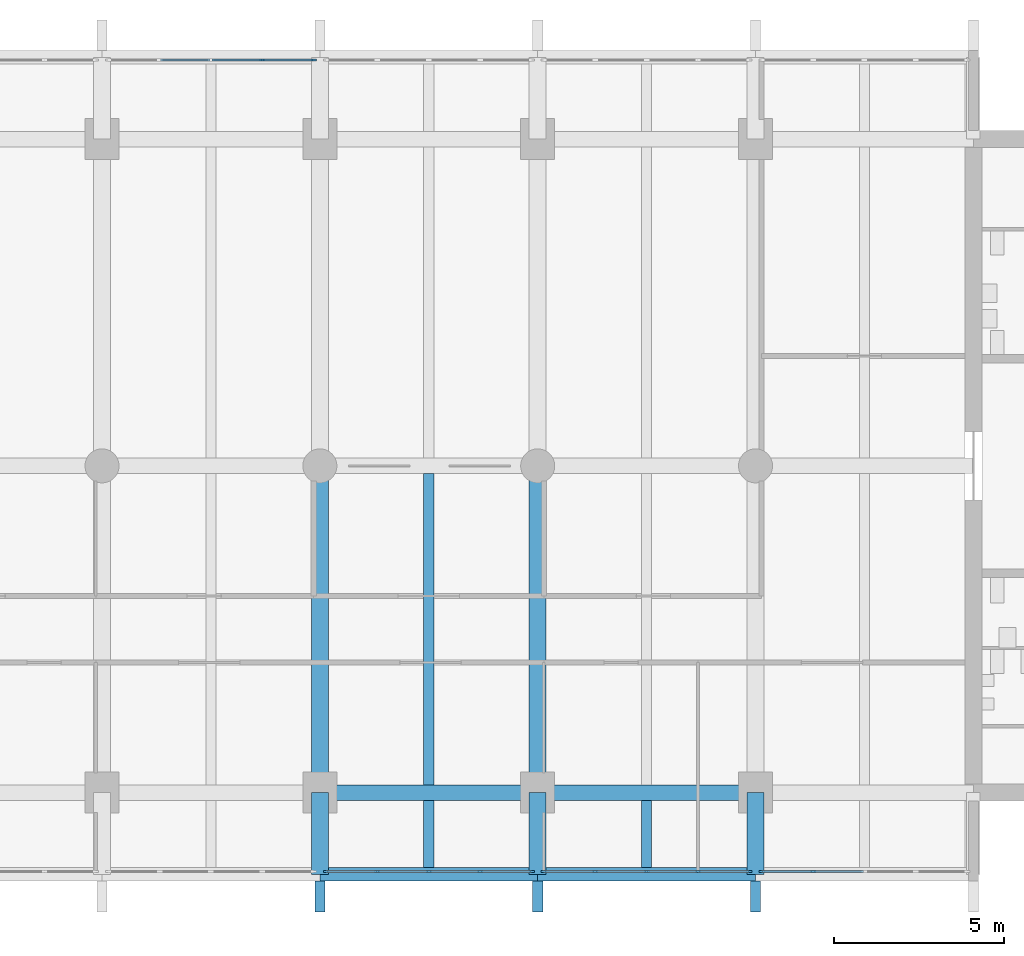
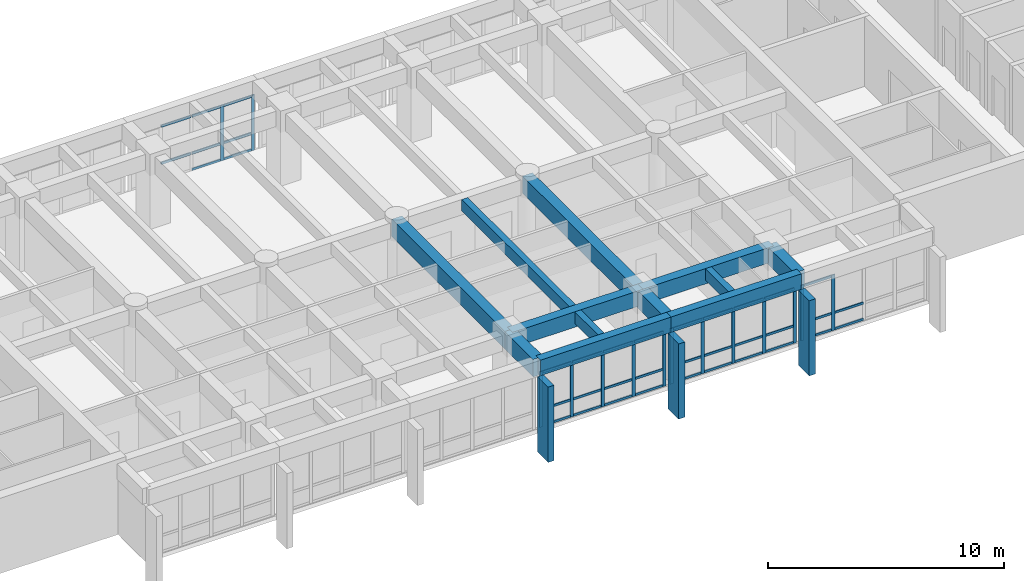
# One storey, part 4 of 15: 54 members, 12 beams, 4 elements without a shape of their own.
"""IFC4 building model written with IfcOpenShell, lengths in metres."""

import ifcopenshell
import ifcopenshell.guid

model = None  # the IFC model being written
_history = None  # IfcOwnerHistory: only IFC2X3 demands one
_inside = {}  # id of a spatial element -> (the spatial element, [elements in it])
_under = {}  # id of a project, library or spatial element -> (it, [spatial elements below it])
_declared = {}  # id of a project -> (the project, [libraries it declares])
_typed = {}  # id of a type object -> (the type object, [elements of that type])
_made_of = {}  # id of a material, layer set ... -> (it, [elements and type objects made of it])


def new_model(schema):
    """Start an empty IFC model of exactly this schema.

    Asked for "IFC4X3", IfcOpenShell would pick the latest addendum, in which some entities
    have other attributes; the version numbers below select the first issue.
    IFC2X3 requires an IfcOwnerHistory on every rooted entity: one is made here for all.
    """
    global model, _history
    if schema == "IFC4X3":
        model = ifcopenshell.file(schema_version=(4, 3, 0, 0))
    else:
        model = ifcopenshell.file(schema=schema)
    _inside.clear()
    _under.clear()
    _declared.clear()
    _typed.clear()
    _made_of.clear()
    _history = None
    if model.schema == "IFC2X3":
        org = make("IfcOrganization", Name="unknown")
        user = make(
            "IfcPersonAndOrganization",
            ThePerson=make("IfcPerson", FamilyName="unknown"),
            TheOrganization=org,
        )
        app = make(
            "IfcApplication",
            ApplicationDeveloper=org,
            Version="unknown",
            ApplicationFullName="unknown",
            ApplicationIdentifier="unknown",
        )
        _history = make(
            "IfcOwnerHistory",
            OwningUser=user,
            OwningApplication=app,
            ChangeAction="ADDED",
            CreationDate=0,
        )
    return model


def make(cls, **values):
    """One entity of the class cls with the attributes given. An attribute that is None is left unset."""
    return model.create_entity(
        cls, **{name: value for name, value in values.items() if value is not None}
    )


def rooted(cls, **values):
    """An entity with a GlobalId (a new one), such as an element, a storey or a relation."""
    return make(cls, GlobalId=ifcopenshell.guid.new(), OwnerHistory=_history, **values)


def si_unit(unit_type, name, prefix=None):
    """IfcSIUnit, for example si_unit("LENGTHUNIT", "METRE", prefix="MILLI")."""
    return make("IfcSIUnit", UnitType=unit_type, Prefix=prefix, Name=name)


def assignment(units):
    """IfcUnitAssignment: the units of a project."""
    return None if units is None else make("IfcUnitAssignment", Units=units)


def point(xyz):
    """IfcCartesianPoint."""
    return None if xyz is None else make("IfcCartesianPoint", Coordinates=xyz)


def direction(xyz):
    """IfcDirection."""
    return None if xyz is None else make("IfcDirection", DirectionRatios=xyz)


def frame(location, z_axis=None, x_axis=None):
    """IfcAxis2Placement3D, a coordinate frame: its origin and axes. An axis left out is left unset."""
    return make(
        "IfcAxis2Placement3D",
        Location=point(location),
        Axis=direction(z_axis),
        RefDirection=direction(x_axis),
    )


def frame_2d(location, x_axis=None):
    """IfcAxis2Placement2D, a coordinate frame in the plane: its origin and x axis."""
    return make(
        "IfcAxis2Placement2D", Location=point(location), RefDirection=direction(x_axis)
    )


def origin():
    """The frame at (0, 0, 0) with its axes left unset."""
    return frame((0.0, 0.0, 0.0))


def origin_2d():
    """The frame at (0, 0) in the plane with its x axis left unset."""
    return frame_2d((0.0, 0.0))


def place(relative_to, where):
    """IfcLocalPlacement: puts the frame where relative to a parent placement (None: the world)."""
    return make(
        "IfcLocalPlacement", PlacementRelTo=relative_to, RelativePlacement=where
    )


def context(
    kind, dimensions, precision=None, world=None, true_north=None, identifier=None
):
    """IfcGeometricRepresentationContext, for example the 3D "Model" context."""
    return make(
        "IfcGeometricRepresentationContext",
        ContextIdentifier=identifier,
        ContextType=kind,
        CoordinateSpaceDimension=dimensions,
        Precision=precision,
        WorldCoordinateSystem=world,
        TrueNorth=true_north,
    )


def subcontext(parent, identifier, kind, view, scale=None):
    """IfcGeometricRepresentationSubContext, for example "Body" below "Model"."""
    return make(
        "IfcGeometricRepresentationSubContext",
        ContextIdentifier=identifier,
        ContextType=kind,
        ParentContext=parent,
        TargetScale=scale,
        TargetView=view,
    )


def project(units=None, contexts=None):
    """IfcProject with its units and contexts."""
    return rooted(
        "IfcProject",
        Name="project",
        RepresentationContexts=contexts,
        UnitsInContext=assignment(units),
    )


def spatial(cls, under=None, at=None, **own):
    """A site, building, storey or space (cls), placed at a placement, below another one or the project."""
    s = rooted(cls, ObjectPlacement=at, **own)
    if under is not None:
        _under.setdefault(under.id(), (under, []))[1].append(s)
    return s


def profile(cls, at=None, kind="AREA", **sizes):
    """A parametric profile (cls). Its sizes go by their IFC names, for example OverallWidth=200.0."""
    return make(cls, ProfileType=kind, Position=at, **sizes)


def rectangle(**sizes):
    """IfcRectangleProfileDef."""
    return profile("IfcRectangleProfileDef", **sizes)


def extrude(swept, where, along, depth):
    """IfcExtrudedAreaSolid: the profile swept, set in the frame where, extruded along a direction by depth."""
    return make(
        "IfcExtrudedAreaSolid",
        SweptArea=swept,
        Position=where,
        ExtrudedDirection=direction(along),
        Depth=depth,
    )


def shape(context_of_items, identifier, shape_type, items):
    """IfcShapeRepresentation: the items that make up one representation, for example the "Body"."""
    return make(
        "IfcShapeRepresentation",
        ContextOfItems=context_of_items,
        RepresentationIdentifier=identifier,
        RepresentationType=shape_type,
        Items=items,
    )


def material(Name=None, Category=None):
    """IfcMaterial."""
    return make("IfcMaterial", Name=Name, Category=Category)


def layer(
    of_material, thickness, ventilated=None, Name=None, Category=None, Priority=None
):
    """IfcMaterialLayer: one layer of a wall or slab, of a material (None: an air gap)."""
    return make(
        "IfcMaterialLayer",
        Material=of_material,
        LayerThickness=thickness,
        IsVentilated=ventilated,
        Name=Name,
        Category=Category,
        Priority=Priority,
    )


def layer_set(layers, Name=None):
    """IfcMaterialLayerSet."""
    return make("IfcMaterialLayerSet", MaterialLayers=layers, LayerSetName=Name)


def material_profile(
    of_material, cross_section, Name=None, Category=None, Priority=None
):
    """IfcMaterialProfile: a cross section and its material."""
    return make(
        "IfcMaterialProfile",
        Name=Name,
        Material=of_material,
        Profile=cross_section,
        Priority=Priority,
        Category=Category,
    )


def profile_set(profiles, Name=None, composite=None):
    """IfcMaterialProfileSet."""
    return make(
        "IfcMaterialProfileSet",
        Name=Name,
        MaterialProfiles=profiles,
        CompositeProfile=composite,
    )


def made_of(thing, what):
    """Note that an element or type object is made of a material, layer set ...; save() writes the relation."""
    if what is not None:
        _made_of.setdefault(what.id(), (what, []))[1].append(thing)
    return thing


def type_object(cls, material=None, **own):
    """A type object (cls), such as IfcWallType, which elements share."""
    return made_of(rooted(cls, **own), material)


def element(
    cls,
    number,
    at=None,
    inside=None,
    cuts=None,
    type_object=None,
    material=None,
    context=None,
    identifier="Body",
    shape_type=None,
    held_by="IfcProductDefinitionShape",
    body=None,
    shapes=None,
    **own,
):
    """One element of the class cls, such as IfcWall. Its Tag is "e" and its number.

    at: its placement. inside: the storey or other place that contains it. cuts: it is an
    opening in that element (IfcRelVoidsElement). A single representation is given by context,
    identifier, shape_type and body (its items); several are given by shapes. held_by: the class
    of the entity that holds the representations. save() writes the other relations.
    """
    e = rooted(cls, Tag="e%d" % number, ObjectPlacement=at, **own)
    if body is not None:
        shapes = [shape(context, identifier, shape_type, body)]
    if shapes is not None:
        e.Representation = make(held_by, Representations=shapes)
    if inside is not None:
        _inside.setdefault(inside.id(), (inside, []))[1].append(e)
    if cuts is not None:
        rooted(
            "IfcRelVoidsElement", RelatingBuildingElement=cuts, RelatedOpeningElement=e
        )
    if type_object is not None:
        _typed.setdefault(type_object.id(), (type_object, []))[1].append(e)
    return made_of(e, material)


def aggregate(whole, parts):
    """IfcRelAggregates: a whole, such as a stair, and the parts it consists of."""
    return rooted("IfcRelAggregates", RelatingObject=whole, RelatedObjects=parts)


def save(model, path):
    """Write the relations noted so far, then the file.

    IfcRelAggregates (storeys below a building ...), IfcRelContainedInSpatialStructure (elements
    in a storey), IfcRelDefinesByType, IfcRelAssociatesMaterial and IfcRelDeclares: one each for
    every whole, place, type object, material and project.
    """
    for whole, parts in _under.values():
        aggregate(whole, parts)
    for where, things in _inside.values():
        rooted(
            "IfcRelContainedInSpatialStructure",
            RelatedElements=things,
            RelatingStructure=where,
        )
    for kind, things in _typed.values():
        rooted("IfcRelDefinesByType", RelatedObjects=things, RelatingType=kind)
    for what, things in _made_of.values():
        rooted("IfcRelAssociatesMaterial", RelatedObjects=things, RelatingMaterial=what)
    for by, libraries in _declared.values():
        rooted("IfcRelDeclares", RelatingContext=by, RelatedDefinitions=libraries)
    model.write(path)


model = new_model("IFC4")

# Units and contexts
model_context = context("Model", 3, precision=1e-05, world=origin(), true_north=direction((0.0, 1.0)))
body_context = subcontext(model_context, "Body", "Model", "MODEL_VIEW")
ifc_project = project(units=[si_unit("LENGTHUNIT", "METRE"), si_unit("AREAUNIT", "SQUARE_METRE"), si_unit("VOLUMEUNIT", "CUBIC_METRE"), si_unit("PLANEANGLEUNIT", "RADIAN"), si_unit("MASSUNIT", "GRAM", prefix="KILO")], contexts=[model_context])

# Site, building, storey
site_placement = place(None, origin())
site = spatial("IfcSite", under=ifc_project, at=site_placement, CompositionType="ELEMENT")
building_placement = place(site_placement, origin())
building = spatial("IfcBuilding", under=site, at=building_placement, Name="Fogon Plaza Fire Station and Headquarters Tower", CompositionType="ELEMENT")
storey_placement = place(building_placement, frame((0.0, 0.0, 28.800048828125)))
storey = spatial("IfcBuildingStorey", under=building, at=storey_placement, Name="L07", CompositionType="ELEMENT", Elevation=28.800048828125)

# Beams
ifc_material_1 = material(Name="Concrete C40", Category="concrete")
ifc_material_profile_1 = material_profile(ifc_material_1, rectangle(XDim=0.39990234375, YDim=0.800048828125, at=origin_2d()), Name="RC 400x800")
ifc_profile_set_1 = profile_set([ifc_material_profile_1], Name="Concrete C40")
beam_type_1 = type_object("IfcBeamType", Name="BEAM RC 400x800", PredefinedType="BEAM", material=ifc_profile_set_1)
beam_1_placement = place(storey_placement, frame((44.800048828125, 31.199951171875, 3.280029296875), z_axis=(1.0, 0.0, 0.0), x_axis=(0.0, 1.0, 0.0)))
element("IfcBeam", 1, at=beam_1_placement, inside=storey, type_object=beam_type_1, Name="beam-L07-042", PredefinedType="BEAM", context=body_context, shape_type="SweptSolid", body=[
    extrude(rectangle(XDim=0.39990234375, YDim=0.800048828125, at=origin_2d()), origin(), (0.0, 0.0, 1.0), 6.39990234375),
])
beam_2_placement = place(storey_placement, frame((51.199951171875, 31.199951171875, 3.280029296875), z_axis=(1.0, 0.0, 0.0), x_axis=(0.0, 1.0, 0.0)))
element("IfcBeam", 2, at=beam_2_placement, inside=storey, type_object=beam_type_1, Name="beam-L07-043", PredefinedType="BEAM", context=body_context, shape_type="SweptSolid", body=[
    extrude(rectangle(XDim=0.39990234375, YDim=0.800048828125, at=origin_2d()), origin(), (0.0, 0.0, 1.0), 6.400146484375),
])
ifc_material_2 = material(Name="Concrete C40", Category="concrete")
ifc_material_profile_2 = material_profile(ifc_material_2, rectangle(XDim=0.449951171875, YDim=0.800048828125, at=origin_2d()), Name="RC 450x800")
ifc_profile_set_2 = profile_set([ifc_material_profile_2], Name="Concrete C40")
beam_type_2 = type_object("IfcBeamType", Name="BEAM RC 450x800", PredefinedType="BEAM", material=ifc_profile_set_2)
beam_3_placement = place(storey_placement, frame((44.800048828125, 33.60009765625, 3.280029296875), z_axis=(1.0, 0.0, 0.0), x_axis=(0.0, 1.0, 0.0)))
element("IfcBeam", 3, at=beam_3_placement, inside=storey, type_object=beam_type_2, Name="beam-L07-024", PredefinedType="BEAM", context=body_context, shape_type="SweptSolid", body=[
    extrude(rectangle(XDim=0.449951171875, YDim=0.800048828125, at=origin_2d()), origin(), (0.0, 0.0, 1.0), 6.39990234375),
])
beam_4_placement = place(storey_placement, frame((51.199951171875, 33.60009765625, 3.280029296875), z_axis=(1.0, 0.0, 0.0), x_axis=(0.0, 1.0, 0.0)))
element("IfcBeam", 4, at=beam_4_placement, inside=storey, type_object=beam_type_2, Name="beam-L07-025", PredefinedType="BEAM", context=body_context, shape_type="SweptSolid", body=[
    extrude(rectangle(XDim=0.449951171875, YDim=0.800048828125, at=origin_2d()), origin(), (0.0, 0.0, 1.0), 6.400146484375),
])
ifc_material_3 = material(Name="Concrete C40", Category="concrete")
ifc_material_profile_3 = material_profile(ifc_material_3, rectangle(XDim=0.5, YDim=0.89990234375, at=origin_2d()), Name="RC 500x900")
ifc_profile_set_3 = profile_set([ifc_material_profile_3], Name="Concrete C40")
beam_type_3 = type_object("IfcBeamType", Name="BEAM RC 500x900 SPAN 0.0 TO 3.0 M", PredefinedType="BEAM", material=ifc_profile_set_3)
for number, where, z_axis, x_axis, name in (
    (5, (44.800048828125, 31.199951171875, 3.22998046875), (0.0, 1.0, 0.0), (-1.0, 0.0, 0.0), "beam-L07-009"),
    (6, (51.199951171875, 31.199951171875, 3.22998046875), (0.0, 1.0, 0.0), (-1.0, 0.0, 0.0), "beam-L07-013"),
    (7, (57.60009765625, 31.199951171875, 3.22998046875), (0.0, 1.0, 0.0), (-1.0, 0.0, 0.0), "beam-L07-017"),
):
    element("IfcBeam", number, at=place(storey_placement, frame(where, z_axis=z_axis, x_axis=x_axis)), inside=storey, type_object=beam_type_3, Name=name, PredefinedType="BEAM", context=body_context, shape_type="SweptSolid", body=[
        extrude(rectangle(XDim=0.5, YDim=0.89990234375, at=origin_2d()), origin(), (0.0, 0.0, 1.0), 2.400146484375),
    ])
ifc_material_4 = material(Name="Concrete C40", Category="concrete")
ifc_material_profile_4 = material_profile(ifc_material_4, rectangle(XDim=0.5, YDim=0.89990234375, at=origin_2d()), Name="RC 500x900")
ifc_profile_set_4 = profile_set([ifc_material_profile_4], Name="Concrete C40")
beam_type_4 = type_object("IfcBeamType", Name="BEAM RC 500x900 SPAN 7.7 TO 12.3 M", PredefinedType="BEAM", material=ifc_profile_set_4)
for number, where, z_axis, x_axis, name in (
    (8, (44.800048828125, 33.60009765625, 3.22998046875), (0.0, 1.0, 0.0), (-1.0, 0.0, 0.0), "beam-L07-010"),
    (9, (51.199951171875, 33.60009765625, 3.22998046875), (0.0, 1.0, 0.0), (-1.0, 0.0, 0.0), "beam-L07-014"),
):
    element("IfcBeam", number, at=place(storey_placement, frame(where, z_axis=z_axis, x_axis=x_axis)), inside=storey, type_object=beam_type_4, Name=name, PredefinedType="BEAM", context=body_context, shape_type="SweptSolid", body=[
        extrude(rectangle(XDim=0.5, YDim=0.89990234375, at=origin_2d()), origin(), (0.0, 0.0, 1.0), 9.599853515625),
    ])

# Curtain wall, members
ifc_material_5 = material(Name="Aluminium and glass", Category="aluminium")
ifc_layer = layer(ifc_material_5, 0.14990234375)
ifc_layer_set = layer_set([ifc_layer], Name="Aluminium and glass")
curtain_wall_type = type_object("IfcCurtainWallType", Name="Unitised Curtain Wall Run 6100x2880", PredefinedType="NOTDEFINED", material=ifc_layer_set)
curtain_wall_1_placement = place(storey_placement, origin())
curtain_wall_1 = element("IfcCurtainWall", 10, at=curtain_wall_1_placement, inside=storey, type_object=curtain_wall_type, Name="CW-6100x2880 S4 L07", PredefinedType="NOTDEFINED")
ifc_material_6 = material(Name="Aluminium", Category="aluminium")
ifc_material_profile_5 = material_profile(ifc_material_6, rectangle(XDim=0.06005859375, YDim=0.159912109375, at=origin_2d()), Name="Curtain Wall Mullion 60x160")
ifc_profile_set_5 = profile_set([ifc_material_profile_5], Name="Aluminium")
member_type_1 = type_object("IfcMemberType", Name="Curtain Wall Mullion 60x160", PredefinedType="MULLION", material=ifc_profile_set_5)
member_1_placement = place(storey_placement, frame((44.97998046875, 31.280029296875, 0.0), z_axis=(0.0, 0.0, 1.0), x_axis=(0.0, 1.0, 0.0)))
member_1 = element("IfcMember", 11, at=member_1_placement, type_object=member_type_1, Name="CW-6100x2880 mullion 1", PredefinedType="MULLION", context=body_context, shape_type="SweptSolid", body=[
    extrude(rectangle(XDim=0.06005859375, YDim=0.159912109375, at=origin_2d()), origin(), (0.0, 0.0, 1.0), 2.8798828125),
])
member_2_placement = place(storey_placement, frame((46.489990234375, 31.280029296875, 0.0), z_axis=(0.0, 0.0, 1.0), x_axis=(0.0, 1.0, 0.0)))
member_2 = element("IfcMember", 12, at=member_2_placement, type_object=member_type_1, Name="CW-6100x2880 mullion 2", PredefinedType="MULLION", context=body_context, shape_type="SweptSolid", body=[
    extrude(rectangle(XDim=0.06005859375, YDim=0.159912109375, at=origin_2d()), origin(), (0.0, 0.0, 1.0), 2.8798828125),
])
member_3_placement = place(storey_placement, frame((48.0, 31.280029296875, 0.0), z_axis=(0.0, 0.0, 1.0), x_axis=(0.0, 1.0, 0.0)))
member_3 = element("IfcMember", 13, at=member_3_placement, type_object=member_type_1, Name="CW-6100x2880 mullion 3", PredefinedType="MULLION", context=body_context, shape_type="SweptSolid", body=[
    extrude(rectangle(XDim=0.06005859375, YDim=0.159912109375, at=origin_2d()), origin(), (0.0, 0.0, 1.0), 2.8798828125),
])
member_4_placement = place(storey_placement, frame((49.510009765625, 31.280029296875, 0.0), z_axis=(0.0, 0.0, 1.0), x_axis=(0.0, 1.0, 0.0)))
member_4 = element("IfcMember", 14, at=member_4_placement, type_object=member_type_1, Name="CW-6100x2880 mullion 4", PredefinedType="MULLION", context=body_context, shape_type="SweptSolid", body=[
    extrude(rectangle(XDim=0.06005859375, YDim=0.159912109375, at=origin_2d()), origin(), (0.0, 0.0, 1.0), 2.8798828125),
])
member_5_placement = place(storey_placement, frame((51.02001953125, 31.280029296875, 0.0), z_axis=(0.0, 0.0, 1.0), x_axis=(0.0, 1.0, 0.0)))
member_5 = element("IfcMember", 15, at=member_5_placement, type_object=member_type_1, Name="CW-6100x2880 mullion 5", PredefinedType="MULLION", context=body_context, shape_type="SweptSolid", body=[
    extrude(rectangle(XDim=0.06005859375, YDim=0.159912109375, at=origin_2d()), origin(), (0.0, 0.0, 1.0), 2.8798828125),
])

curtain_wall_2_placement = place(storey_placement, origin())
curtain_wall_2 = element("IfcCurtainWall", 16, at=curtain_wall_2_placement, inside=storey, type_object=curtain_wall_type, Name="CW-6100x2880 S5 L07", PredefinedType="NOTDEFINED")
member_6_placement = place(storey_placement, frame((51.3798828125, 31.280029296875, 0.0), z_axis=(0.0, 0.0, 1.0), x_axis=(0.0, 1.0, 0.0)))
member_6 = element("IfcMember", 17, at=member_6_placement, type_object=member_type_1, Name="CW-6100x2880 mullion 1", PredefinedType="MULLION", context=body_context, shape_type="SweptSolid", body=[
    extrude(rectangle(XDim=0.06005859375, YDim=0.159912109375, at=origin_2d()), origin(), (0.0, 0.0, 1.0), 2.8798828125),
])
member_7_placement = place(storey_placement, frame((52.889892578125, 31.280029296875, 0.0), z_axis=(0.0, 0.0, 1.0), x_axis=(0.0, 1.0, 0.0)))
member_7 = element("IfcMember", 18, at=member_7_placement, type_object=member_type_1, Name="CW-6100x2880 mullion 2", PredefinedType="MULLION", context=body_context, shape_type="SweptSolid", body=[
    extrude(rectangle(XDim=0.06005859375, YDim=0.159912109375, at=origin_2d()), origin(), (0.0, 0.0, 1.0), 2.8798828125),
])
member_8_placement = place(storey_placement, frame((54.39990234375, 31.280029296875, 0.0), z_axis=(0.0, 0.0, 1.0), x_axis=(0.0, 1.0, 0.0)))
member_8 = element("IfcMember", 19, at=member_8_placement, type_object=member_type_1, Name="CW-6100x2880 mullion 3", PredefinedType="MULLION", context=body_context, shape_type="SweptSolid", body=[
    extrude(rectangle(XDim=0.06005859375, YDim=0.159912109375, at=origin_2d()), origin(), (0.0, 0.0, 1.0), 2.8798828125),
])
member_9_placement = place(storey_placement, frame((55.909912109375, 31.280029296875, 0.0), z_axis=(0.0, 0.0, 1.0), x_axis=(0.0, 1.0, 0.0)))
member_9 = element("IfcMember", 20, at=member_9_placement, type_object=member_type_1, Name="CW-6100x2880 mullion 4", PredefinedType="MULLION", context=body_context, shape_type="SweptSolid", body=[
    extrude(rectangle(XDim=0.06005859375, YDim=0.159912109375, at=origin_2d()), origin(), (0.0, 0.0, 1.0), 2.8798828125),
])
member_10_placement = place(storey_placement, frame((57.419921875, 31.280029296875, 0.0), z_axis=(0.0, 0.0, 1.0), x_axis=(0.0, 1.0, 0.0)))
member_10 = element("IfcMember", 21, at=member_10_placement, type_object=member_type_1, Name="CW-6100x2880 mullion 5", PredefinedType="MULLION", context=body_context, shape_type="SweptSolid", body=[
    extrude(rectangle(XDim=0.06005859375, YDim=0.159912109375, at=origin_2d()), origin(), (0.0, 0.0, 1.0), 2.8798828125),
])

curtain_wall_3_placement = place(storey_placement, origin())
curtain_wall_3 = element("IfcCurtainWall", 22, at=curtain_wall_3_placement, inside=storey, type_object=curtain_wall_type, Name="CW-6100x2880 S6 L07", PredefinedType="NOTDEFINED")
member_11_placement = place(storey_placement, frame((57.780029296875, 31.280029296875, 0.0), z_axis=(0.0, 0.0, 1.0), x_axis=(0.0, 1.0, 0.0)))
member_11 = element("IfcMember", 23, at=member_11_placement, type_object=member_type_1, Name="CW-6100x2880 mullion 1", PredefinedType="MULLION", context=body_context, shape_type="SweptSolid", body=[
    extrude(rectangle(XDim=0.06005859375, YDim=0.159912109375, at=origin_2d()), origin(), (0.0, 0.0, 1.0), 2.8798828125),
])
member_12_placement = place(storey_placement, frame((59.2900390625, 31.280029296875, 0.0), z_axis=(0.0, 0.0, 1.0), x_axis=(0.0, 1.0, 0.0)))
member_12 = element("IfcMember", 24, at=member_12_placement, type_object=member_type_1, Name="CW-6100x2880 mullion 2", PredefinedType="MULLION", context=body_context, shape_type="SweptSolid", body=[
    extrude(rectangle(XDim=0.06005859375, YDim=0.159912109375, at=origin_2d()), origin(), (0.0, 0.0, 1.0), 2.8798828125),
])

curtain_wall_4_placement = place(storey_placement, origin())
curtain_wall_4 = element("IfcCurtainWall", 25, at=curtain_wall_4_placement, inside=storey, type_object=curtain_wall_type, Name="CW-6100x2880 N3 L07", PredefinedType="NOTDEFINED")
member_13_placement = place(storey_placement, frame((43.110107421875, 55.1201171875, 0.0), z_axis=(0.0, 0.0, 1.0), x_axis=(0.0, 1.0, 0.0)))
member_13 = element("IfcMember", 26, at=member_13_placement, type_object=member_type_1, Name="CW-6100x2880 mullion 4", PredefinedType="MULLION", context=body_context, shape_type="SweptSolid", body=[
    extrude(rectangle(XDim=0.06005859375, YDim=0.159912109375, at=origin_2d()), origin(), (0.0, 0.0, 1.0), 2.8798828125),
])
member_14_placement = place(storey_placement, frame((44.6201171875, 55.1201171875, 0.0), z_axis=(0.0, 0.0, 1.0), x_axis=(0.0, 1.0, 0.0)))
member_14 = element("IfcMember", 27, at=member_14_placement, type_object=member_type_1, Name="CW-6100x2880 mullion 5", PredefinedType="MULLION", context=body_context, shape_type="SweptSolid", body=[
    extrude(rectangle(XDim=0.06005859375, YDim=0.159912109375, at=origin_2d()), origin(), (0.0, 0.0, 1.0), 2.8798828125),
])

# Member
ifc_material_7 = material(Name="Aluminium", Category="aluminium")
ifc_material_profile_6 = material_profile(ifc_material_7, rectangle(XDim=0.06005859375, YDim=0.1201171875, at=origin_2d()), Name="Curtain Wall Transom 60x120")
ifc_profile_set_6 = profile_set([ifc_material_profile_6], Name="Aluminium")
member_type_2 = type_object("IfcMemberType", Name="Curtain Wall Transom 60x120", PredefinedType="USERDEFINED", material=ifc_profile_set_6)
member_15_placement = place(storey_placement, frame((45.010009765625, 31.280029296875, 0.06005859375), z_axis=(1.0, 0.0, 0.0), x_axis=(0.0, 1.0, 0.0)))
member_15 = element("IfcMember", 28, at=member_15_placement, type_object=member_type_2, Name="CW-6100x2880 transom 1.1", ObjectType="TRANSOM", PredefinedType="USERDEFINED", context=body_context, shape_type="SweptSolid", body=[
    extrude(rectangle(XDim=0.06005859375, YDim=0.1201171875, at=origin_2d()), origin(), (0.0, 0.0, 1.0), 1.449951171875),
])

member_16_placement = place(storey_placement, frame((45.010009765625, 31.280029296875, 0.89990234375), z_axis=(1.0, 0.0, 0.0), x_axis=(0.0, 1.0, 0.0)))
member_16 = element("IfcMember", 29, at=member_16_placement, type_object=member_type_2, Name="CW-6100x2880 transom 1.2", ObjectType="TRANSOM", PredefinedType="USERDEFINED", context=body_context, shape_type="SweptSolid", body=[
    extrude(rectangle(XDim=0.06005859375, YDim=0.1201171875, at=origin_2d()), origin(), (0.0, 0.0, 1.0), 1.449951171875),
])

member_17_placement = place(storey_placement, frame((45.010009765625, 31.280029296875, 2.820068359375), z_axis=(1.0, 0.0, 0.0), x_axis=(0.0, 1.0, 0.0)))
member_17 = element("IfcMember", 30, at=member_17_placement, type_object=member_type_2, Name="CW-6100x2880 transom 1.3", ObjectType="TRANSOM", PredefinedType="USERDEFINED", context=body_context, shape_type="SweptSolid", body=[
    extrude(rectangle(XDim=0.06005859375, YDim=0.1201171875, at=origin_2d()), origin(), (0.0, 0.0, 1.0), 1.449951171875),
])

member_18_placement = place(storey_placement, frame((46.52001953125, 31.280029296875, 0.06005859375), z_axis=(1.0, 0.0, 0.0), x_axis=(0.0, 1.0, 0.0)))
member_18 = element("IfcMember", 31, at=member_18_placement, type_object=member_type_2, Name="CW-6100x2880 transom 2.1", ObjectType="TRANSOM", PredefinedType="USERDEFINED", context=body_context, shape_type="SweptSolid", body=[
    extrude(rectangle(XDim=0.06005859375, YDim=0.1201171875, at=origin_2d()), origin(), (0.0, 0.0, 1.0), 1.449951171875),
])

member_19_placement = place(storey_placement, frame((46.52001953125, 31.280029296875, 0.89990234375), z_axis=(1.0, 0.0, 0.0), x_axis=(0.0, 1.0, 0.0)))
member_19 = element("IfcMember", 32, at=member_19_placement, type_object=member_type_2, Name="CW-6100x2880 transom 2.2", ObjectType="TRANSOM", PredefinedType="USERDEFINED", context=body_context, shape_type="SweptSolid", body=[
    extrude(rectangle(XDim=0.06005859375, YDim=0.1201171875, at=origin_2d()), origin(), (0.0, 0.0, 1.0), 1.449951171875),
])

member_20_placement = place(storey_placement, frame((46.52001953125, 31.280029296875, 2.820068359375), z_axis=(1.0, 0.0, 0.0), x_axis=(0.0, 1.0, 0.0)))
member_20 = element("IfcMember", 33, at=member_20_placement, type_object=member_type_2, Name="CW-6100x2880 transom 2.3", ObjectType="TRANSOM", PredefinedType="USERDEFINED", context=body_context, shape_type="SweptSolid", body=[
    extrude(rectangle(XDim=0.06005859375, YDim=0.1201171875, at=origin_2d()), origin(), (0.0, 0.0, 1.0), 1.449951171875),
])

member_21_placement = place(storey_placement, frame((48.030029296875, 31.280029296875, 0.06005859375), z_axis=(1.0, 0.0, 0.0), x_axis=(0.0, 1.0, 0.0)))
member_21 = element("IfcMember", 34, at=member_21_placement, type_object=member_type_2, Name="CW-6100x2880 transom 3.1", ObjectType="TRANSOM", PredefinedType="USERDEFINED", context=body_context, shape_type="SweptSolid", body=[
    extrude(rectangle(XDim=0.06005859375, YDim=0.1201171875, at=origin_2d()), origin(), (0.0, 0.0, 1.0), 1.449951171875),
])

member_22_placement = place(storey_placement, frame((48.030029296875, 31.280029296875, 0.89990234375), z_axis=(1.0, 0.0, 0.0), x_axis=(0.0, 1.0, 0.0)))
member_22 = element("IfcMember", 35, at=member_22_placement, type_object=member_type_2, Name="CW-6100x2880 transom 3.2", ObjectType="TRANSOM", PredefinedType="USERDEFINED", context=body_context, shape_type="SweptSolid", body=[
    extrude(rectangle(XDim=0.06005859375, YDim=0.1201171875, at=origin_2d()), origin(), (0.0, 0.0, 1.0), 1.449951171875),
])

member_23_placement = place(storey_placement, frame((48.030029296875, 31.280029296875, 2.820068359375), z_axis=(1.0, 0.0, 0.0), x_axis=(0.0, 1.0, 0.0)))
member_23 = element("IfcMember", 36, at=member_23_placement, type_object=member_type_2, Name="CW-6100x2880 transom 3.3", ObjectType="TRANSOM", PredefinedType="USERDEFINED", context=body_context, shape_type="SweptSolid", body=[
    extrude(rectangle(XDim=0.06005859375, YDim=0.1201171875, at=origin_2d()), origin(), (0.0, 0.0, 1.0), 1.449951171875),
])

member_24_placement = place(storey_placement, frame((49.5400390625, 31.280029296875, 0.06005859375), z_axis=(1.0, 0.0, 0.0), x_axis=(0.0, 1.0, 0.0)))
member_24 = element("IfcMember", 37, at=member_24_placement, type_object=member_type_2, Name="CW-6100x2880 transom 4.1", ObjectType="TRANSOM", PredefinedType="USERDEFINED", context=body_context, shape_type="SweptSolid", body=[
    extrude(rectangle(XDim=0.06005859375, YDim=0.1201171875, at=origin_2d()), origin(), (0.0, 0.0, 1.0), 1.449951171875),
])

member_25_placement = place(storey_placement, frame((49.5400390625, 31.280029296875, 0.89990234375), z_axis=(1.0, 0.0, 0.0), x_axis=(0.0, 1.0, 0.0)))
member_25 = element("IfcMember", 38, at=member_25_placement, type_object=member_type_2, Name="CW-6100x2880 transom 4.2", ObjectType="TRANSOM", PredefinedType="USERDEFINED", context=body_context, shape_type="SweptSolid", body=[
    extrude(rectangle(XDim=0.06005859375, YDim=0.1201171875, at=origin_2d()), origin(), (0.0, 0.0, 1.0), 1.449951171875),
])

member_26_placement = place(storey_placement, frame((49.5400390625, 31.280029296875, 2.820068359375), z_axis=(1.0, 0.0, 0.0), x_axis=(0.0, 1.0, 0.0)))
member_26 = element("IfcMember", 39, at=member_26_placement, type_object=member_type_2, Name="CW-6100x2880 transom 4.3", ObjectType="TRANSOM", PredefinedType="USERDEFINED", context=body_context, shape_type="SweptSolid", body=[
    extrude(rectangle(XDim=0.06005859375, YDim=0.1201171875, at=origin_2d()), origin(), (0.0, 0.0, 1.0), 1.449951171875),
])

aggregate(curtain_wall_1, [member_1, member_2, member_3, member_4, member_5, member_15, member_16, member_17, member_18, member_19, member_20, member_21, member_22, member_23, member_24, member_25, member_26])

member_27_placement = place(storey_placement, frame((51.409912109375, 31.280029296875, 0.06005859375), z_axis=(1.0, 0.0, 0.0), x_axis=(0.0, 1.0, 0.0)))
member_27 = element("IfcMember", 40, at=member_27_placement, type_object=member_type_2, Name="CW-6100x2880 transom 1.1", ObjectType="TRANSOM", PredefinedType="USERDEFINED", context=body_context, shape_type="SweptSolid", body=[
    extrude(rectangle(XDim=0.06005859375, YDim=0.1201171875, at=origin_2d()), origin(), (0.0, 0.0, 1.0), 1.4501953125),
])

member_28_placement = place(storey_placement, frame((51.409912109375, 31.280029296875, 0.89990234375), z_axis=(1.0, 0.0, 0.0), x_axis=(0.0, 1.0, 0.0)))
member_28 = element("IfcMember", 41, at=member_28_placement, type_object=member_type_2, Name="CW-6100x2880 transom 1.2", ObjectType="TRANSOM", PredefinedType="USERDEFINED", context=body_context, shape_type="SweptSolid", body=[
    extrude(rectangle(XDim=0.06005859375, YDim=0.1201171875, at=origin_2d()), origin(), (0.0, 0.0, 1.0), 1.4501953125),
])

member_29_placement = place(storey_placement, frame((51.409912109375, 31.280029296875, 2.820068359375), z_axis=(1.0, 0.0, 0.0), x_axis=(0.0, 1.0, 0.0)))
member_29 = element("IfcMember", 42, at=member_29_placement, type_object=member_type_2, Name="CW-6100x2880 transom 1.3", ObjectType="TRANSOM", PredefinedType="USERDEFINED", context=body_context, shape_type="SweptSolid", body=[
    extrude(rectangle(XDim=0.06005859375, YDim=0.1201171875, at=origin_2d()), origin(), (0.0, 0.0, 1.0), 1.4501953125),
])

member_30_placement = place(storey_placement, frame((52.919921875, 31.280029296875, 0.06005859375), z_axis=(1.0, 0.0, 0.0), x_axis=(0.0, 1.0, 0.0)))
member_30 = element("IfcMember", 43, at=member_30_placement, type_object=member_type_2, Name="CW-6100x2880 transom 2.1", ObjectType="TRANSOM", PredefinedType="USERDEFINED", context=body_context, shape_type="SweptSolid", body=[
    extrude(rectangle(XDim=0.06005859375, YDim=0.1201171875, at=origin_2d()), origin(), (0.0, 0.0, 1.0), 1.4501953125),
])

member_31_placement = place(storey_placement, frame((52.919921875, 31.280029296875, 0.89990234375), z_axis=(1.0, 0.0, 0.0), x_axis=(0.0, 1.0, 0.0)))
member_31 = element("IfcMember", 44, at=member_31_placement, type_object=member_type_2, Name="CW-6100x2880 transom 2.2", ObjectType="TRANSOM", PredefinedType="USERDEFINED", context=body_context, shape_type="SweptSolid", body=[
    extrude(rectangle(XDim=0.06005859375, YDim=0.1201171875, at=origin_2d()), origin(), (0.0, 0.0, 1.0), 1.4501953125),
])

member_32_placement = place(storey_placement, frame((52.919921875, 31.280029296875, 2.820068359375), z_axis=(1.0, 0.0, 0.0), x_axis=(0.0, 1.0, 0.0)))
member_32 = element("IfcMember", 45, at=member_32_placement, type_object=member_type_2, Name="CW-6100x2880 transom 2.3", ObjectType="TRANSOM", PredefinedType="USERDEFINED", context=body_context, shape_type="SweptSolid", body=[
    extrude(rectangle(XDim=0.06005859375, YDim=0.1201171875, at=origin_2d()), origin(), (0.0, 0.0, 1.0), 1.4501953125),
])

member_33_placement = place(storey_placement, frame((54.429931640625, 31.280029296875, 0.06005859375), z_axis=(1.0, 0.0, 0.0), x_axis=(0.0, 1.0, 0.0)))
member_33 = element("IfcMember", 46, at=member_33_placement, type_object=member_type_2, Name="CW-6100x2880 transom 3.1", ObjectType="TRANSOM", PredefinedType="USERDEFINED", context=body_context, shape_type="SweptSolid", body=[
    extrude(rectangle(XDim=0.06005859375, YDim=0.1201171875, at=origin_2d()), origin(), (0.0, 0.0, 1.0), 1.449951171875),
])

member_34_placement = place(storey_placement, frame((54.429931640625, 31.280029296875, 0.89990234375), z_axis=(1.0, 0.0, 0.0), x_axis=(0.0, 1.0, 0.0)))
member_34 = element("IfcMember", 47, at=member_34_placement, type_object=member_type_2, Name="CW-6100x2880 transom 3.2", ObjectType="TRANSOM", PredefinedType="USERDEFINED", context=body_context, shape_type="SweptSolid", body=[
    extrude(rectangle(XDim=0.06005859375, YDim=0.1201171875, at=origin_2d()), origin(), (0.0, 0.0, 1.0), 1.449951171875),
])

member_35_placement = place(storey_placement, frame((54.429931640625, 31.280029296875, 2.820068359375), z_axis=(1.0, 0.0, 0.0), x_axis=(0.0, 1.0, 0.0)))
member_35 = element("IfcMember", 48, at=member_35_placement, type_object=member_type_2, Name="CW-6100x2880 transom 3.3", ObjectType="TRANSOM", PredefinedType="USERDEFINED", context=body_context, shape_type="SweptSolid", body=[
    extrude(rectangle(XDim=0.06005859375, YDim=0.1201171875, at=origin_2d()), origin(), (0.0, 0.0, 1.0), 1.449951171875),
])

member_36_placement = place(storey_placement, frame((55.93994140625, 31.280029296875, 0.06005859375), z_axis=(1.0, 0.0, 0.0), x_axis=(0.0, 1.0, 0.0)))
member_36 = element("IfcMember", 49, at=member_36_placement, type_object=member_type_2, Name="CW-6100x2880 transom 4.1", ObjectType="TRANSOM", PredefinedType="USERDEFINED", context=body_context, shape_type="SweptSolid", body=[
    extrude(rectangle(XDim=0.06005859375, YDim=0.1201171875, at=origin_2d()), origin(), (0.0, 0.0, 1.0), 1.449951171875),
])

member_37_placement = place(storey_placement, frame((55.93994140625, 31.280029296875, 0.89990234375), z_axis=(1.0, 0.0, 0.0), x_axis=(0.0, 1.0, 0.0)))
member_37 = element("IfcMember", 50, at=member_37_placement, type_object=member_type_2, Name="CW-6100x2880 transom 4.2", ObjectType="TRANSOM", PredefinedType="USERDEFINED", context=body_context, shape_type="SweptSolid", body=[
    extrude(rectangle(XDim=0.06005859375, YDim=0.1201171875, at=origin_2d()), origin(), (0.0, 0.0, 1.0), 1.449951171875),
])

member_38_placement = place(storey_placement, frame((55.93994140625, 31.280029296875, 2.820068359375), z_axis=(1.0, 0.0, 0.0), x_axis=(0.0, 1.0, 0.0)))
member_38 = element("IfcMember", 51, at=member_38_placement, type_object=member_type_2, Name="CW-6100x2880 transom 4.3", ObjectType="TRANSOM", PredefinedType="USERDEFINED", context=body_context, shape_type="SweptSolid", body=[
    extrude(rectangle(XDim=0.06005859375, YDim=0.1201171875, at=origin_2d()), origin(), (0.0, 0.0, 1.0), 1.449951171875),
])

aggregate(curtain_wall_2, [member_6, member_7, member_8, member_9, member_10, member_27, member_28, member_29, member_30, member_31, member_32, member_33, member_34, member_35, member_36, member_37, member_38])

member_39_placement = place(storey_placement, frame((57.81005859375, 31.280029296875, 0.06005859375), z_axis=(1.0, 0.0, 0.0), x_axis=(0.0, 1.0, 0.0)))
member_39 = element("IfcMember", 52, at=member_39_placement, type_object=member_type_2, Name="CW-6100x2880 transom 1.1", ObjectType="TRANSOM", PredefinedType="USERDEFINED", context=body_context, shape_type="SweptSolid", body=[
    extrude(rectangle(XDim=0.06005859375, YDim=0.1201171875, at=origin_2d()), origin(), (0.0, 0.0, 1.0), 1.449951171875),
])

member_40_placement = place(storey_placement, frame((57.81005859375, 31.280029296875, 0.89990234375), z_axis=(1.0, 0.0, 0.0), x_axis=(0.0, 1.0, 0.0)))
member_40 = element("IfcMember", 53, at=member_40_placement, type_object=member_type_2, Name="CW-6100x2880 transom 1.2", ObjectType="TRANSOM", PredefinedType="USERDEFINED", context=body_context, shape_type="SweptSolid", body=[
    extrude(rectangle(XDim=0.06005859375, YDim=0.1201171875, at=origin_2d()), origin(), (0.0, 0.0, 1.0), 1.449951171875),
])

member_41_placement = place(storey_placement, frame((57.81005859375, 31.280029296875, 2.820068359375), z_axis=(1.0, 0.0, 0.0), x_axis=(0.0, 1.0, 0.0)))
member_41 = element("IfcMember", 54, at=member_41_placement, type_object=member_type_2, Name="CW-6100x2880 transom 1.3", ObjectType="TRANSOM", PredefinedType="USERDEFINED", context=body_context, shape_type="SweptSolid", body=[
    extrude(rectangle(XDim=0.06005859375, YDim=0.1201171875, at=origin_2d()), origin(), (0.0, 0.0, 1.0), 1.449951171875),
])

member_42_placement = place(storey_placement, frame((59.320068359375, 31.280029296875, 0.06005859375), z_axis=(1.0, 0.0, 0.0), x_axis=(0.0, 1.0, 0.0)))
member_42 = element("IfcMember", 55, at=member_42_placement, type_object=member_type_2, Name="CW-6100x2880 transom 2.1", ObjectType="TRANSOM", PredefinedType="USERDEFINED", context=body_context, shape_type="SweptSolid", body=[
    extrude(rectangle(XDim=0.06005859375, YDim=0.1201171875, at=origin_2d()), origin(), (0.0, 0.0, 1.0), 1.449951171875),
])

member_43_placement = place(storey_placement, frame((59.320068359375, 31.280029296875, 0.89990234375), z_axis=(1.0, 0.0, 0.0), x_axis=(0.0, 1.0, 0.0)))
member_43 = element("IfcMember", 56, at=member_43_placement, type_object=member_type_2, Name="CW-6100x2880 transom 2.2", ObjectType="TRANSOM", PredefinedType="USERDEFINED", context=body_context, shape_type="SweptSolid", body=[
    extrude(rectangle(XDim=0.06005859375, YDim=0.1201171875, at=origin_2d()), origin(), (0.0, 0.0, 1.0), 1.449951171875),
])

aggregate(curtain_wall_3, [member_11, member_12, member_39, member_40, member_41, member_42, member_43])

member_44_placement = place(storey_placement, frame((40.1201171875, 55.1201171875, 0.89990234375), z_axis=(1.0, 0.0, 0.0), x_axis=(0.0, 1.0, 0.0)))
member_44 = element("IfcMember", 57, at=member_44_placement, type_object=member_type_2, Name="CW-6100x2880 transom 2.2", ObjectType="TRANSOM", PredefinedType="USERDEFINED", context=body_context, shape_type="SweptSolid", body=[
    extrude(rectangle(XDim=0.06005859375, YDim=0.1201171875, at=origin_2d()), origin(), (0.0, 0.0, 1.0), 1.449951171875),
])

member_45_placement = place(storey_placement, frame((40.1201171875, 55.1201171875, 2.820068359375), z_axis=(1.0, 0.0, 0.0), x_axis=(0.0, 1.0, 0.0)))
member_45 = element("IfcMember", 58, at=member_45_placement, type_object=member_type_2, Name="CW-6100x2880 transom 2.3", ObjectType="TRANSOM", PredefinedType="USERDEFINED", context=body_context, shape_type="SweptSolid", body=[
    extrude(rectangle(XDim=0.06005859375, YDim=0.1201171875, at=origin_2d()), origin(), (0.0, 0.0, 1.0), 1.449951171875),
])

member_46_placement = place(storey_placement, frame((41.6298828125, 55.1201171875, 0.06005859375), z_axis=(1.0, 0.0, 0.0), x_axis=(0.0, 1.0, 0.0)))
member_46 = element("IfcMember", 59, at=member_46_placement, type_object=member_type_2, Name="CW-6100x2880 transom 3.1", ObjectType="TRANSOM", PredefinedType="USERDEFINED", context=body_context, shape_type="SweptSolid", body=[
    extrude(rectangle(XDim=0.06005859375, YDim=0.1201171875, at=origin_2d()), origin(), (0.0, 0.0, 1.0), 1.4501953125),
])

member_47_placement = place(storey_placement, frame((41.6298828125, 55.1201171875, 0.89990234375), z_axis=(1.0, 0.0, 0.0), x_axis=(0.0, 1.0, 0.0)))
member_47 = element("IfcMember", 60, at=member_47_placement, type_object=member_type_2, Name="CW-6100x2880 transom 3.2", ObjectType="TRANSOM", PredefinedType="USERDEFINED", context=body_context, shape_type="SweptSolid", body=[
    extrude(rectangle(XDim=0.06005859375, YDim=0.1201171875, at=origin_2d()), origin(), (0.0, 0.0, 1.0), 1.4501953125),
])

member_48_placement = place(storey_placement, frame((41.6298828125, 55.1201171875, 2.820068359375), z_axis=(1.0, 0.0, 0.0), x_axis=(0.0, 1.0, 0.0)))
member_48 = element("IfcMember", 61, at=member_48_placement, type_object=member_type_2, Name="CW-6100x2880 transom 3.3", ObjectType="TRANSOM", PredefinedType="USERDEFINED", context=body_context, shape_type="SweptSolid", body=[
    extrude(rectangle(XDim=0.06005859375, YDim=0.1201171875, at=origin_2d()), origin(), (0.0, 0.0, 1.0), 1.4501953125),
])

member_49_placement = place(storey_placement, frame((43.139892578125, 55.1201171875, 0.06005859375), z_axis=(1.0, 0.0, 0.0), x_axis=(0.0, 1.0, 0.0)))
member_49 = element("IfcMember", 62, at=member_49_placement, type_object=member_type_2, Name="CW-6100x2880 transom 4.1", ObjectType="TRANSOM", PredefinedType="USERDEFINED", context=body_context, shape_type="SweptSolid", body=[
    extrude(rectangle(XDim=0.06005859375, YDim=0.1201171875, at=origin_2d()), origin(), (0.0, 0.0, 1.0), 1.4501953125),
])

member_50_placement = place(storey_placement, frame((43.139892578125, 55.1201171875, 0.89990234375), z_axis=(1.0, 0.0, 0.0), x_axis=(0.0, 1.0, 0.0)))
member_50 = element("IfcMember", 63, at=member_50_placement, type_object=member_type_2, Name="CW-6100x2880 transom 4.2", ObjectType="TRANSOM", PredefinedType="USERDEFINED", context=body_context, shape_type="SweptSolid", body=[
    extrude(rectangle(XDim=0.06005859375, YDim=0.1201171875, at=origin_2d()), origin(), (0.0, 0.0, 1.0), 1.4501953125),
])

member_51_placement = place(storey_placement, frame((43.139892578125, 55.1201171875, 2.820068359375), z_axis=(1.0, 0.0, 0.0), x_axis=(0.0, 1.0, 0.0)))
member_51 = element("IfcMember", 64, at=member_51_placement, type_object=member_type_2, Name="CW-6100x2880 transom 4.3", ObjectType="TRANSOM", PredefinedType="USERDEFINED", context=body_context, shape_type="SweptSolid", body=[
    extrude(rectangle(XDim=0.06005859375, YDim=0.1201171875, at=origin_2d()), origin(), (0.0, 0.0, 1.0), 1.4501953125),
])

aggregate(curtain_wall_4, [member_13, member_14, member_44, member_45, member_46, member_47, member_48, member_49, member_50, member_51])

# Beams
ifc_material_8 = material(Name="Concrete C40", Category="concrete")
ifc_material_profile_7 = material_profile(ifc_material_8, rectangle(XDim=0.300048828125, YDim=0.60009765625, at=origin_2d()), Name="RC 300x600")
ifc_profile_set_7 = profile_set([ifc_material_profile_7], Name="Concrete C40")
beam_type_5 = type_object("IfcBeamType", Name="JOIST RC 300x600", PredefinedType="JOIST", material=ifc_profile_set_7)
beam_5_placement = place(storey_placement, frame((48.0, 33.824951171875, 3.3798828125), z_axis=(0.0, 1.0, 0.0), x_axis=(-1.0, 0.0, 0.0)))
element("IfcBeam", 65, at=beam_5_placement, inside=storey, type_object=beam_type_5, Name="beam-L07-068", PredefinedType="JOIST", context=body_context, shape_type="SweptSolid", body=[
    extrude(rectangle(XDim=0.300048828125, YDim=0.60009765625, at=origin_2d()), origin(), (0.0, 0.0, 1.0), 9.150146484375),
])
ifc_material_9 = material(Name="Concrete C40", Category="concrete")
ifc_material_profile_8 = material_profile(ifc_material_9, rectangle(XDim=0.300048828125, YDim=0.60009765625, at=origin_2d()), Name="RC 300x600")
ifc_profile_set_8 = profile_set([ifc_material_profile_8], Name="Concrete C40")
beam_type_6 = type_object("IfcBeamType", Name="JOIST RC 300x600 SPAN 0.0 TO 3.0 M", PredefinedType="JOIST", material=ifc_profile_set_8)
for number, where, z_axis, x_axis, name in (
    (66, (48.0, 31.39990234375, 3.3798828125), (0.0, 1.0, 0.0), (-1.0, 0.0, 0.0), "beam-L07-067"),
    (67, (54.39990234375, 31.39990234375, 3.3798828125), (0.0, 1.0, 0.0), (-1.0, 0.0, 0.0), "beam-L07-071"),
):
    element("IfcBeam", number, at=place(storey_placement, frame(where, z_axis=z_axis, x_axis=x_axis)), inside=storey, type_object=beam_type_6, Name=name, PredefinedType="JOIST", context=body_context, shape_type="SweptSolid", body=[
        extrude(rectangle(XDim=0.300048828125, YDim=0.60009765625, at=origin_2d()), origin(), (0.0, 0.0, 1.0), 1.97509765625),
    ])

# Members
ifc_material_10 = material(Name="Concrete C40 precast", Category="concrete")
ifc_material_profile_9 = material_profile(ifc_material_10, rectangle(XDim=0.300048828125, YDim=0.89990234375, at=origin_2d()), Name="Precast Concrete Post 300x900")
ifc_profile_set_9 = profile_set([ifc_material_profile_9], Name="Concrete C40 precast")
member_type_3 = type_object("IfcMemberType", Name="Precast Concrete Post 300x900", PredefinedType="POST", material=ifc_profile_set_9)
for number, where, z_axis, x_axis, name in (
    (68, (44.800048828125, 30.550048828125, -1.02001953125), (0.0, 0.0, 1.0), (1.0, 0.0, 0.0), "Precast Post S L07"),
    (69, (51.199951171875, 30.550048828125, -1.02001953125), (0.0, 0.0, 1.0), (1.0, 0.0, 0.0), "Precast Post S L07"),
    (70, (57.60009765625, 30.550048828125, -1.02001953125), (0.0, 0.0, 1.0), (1.0, 0.0, 0.0), "Precast Post S L07"),
):
    element("IfcMember", number, at=place(storey_placement, frame(where, z_axis=z_axis, x_axis=x_axis)), inside=storey, type_object=member_type_3, Name=name, PredefinedType="POST", context=body_context, shape_type="SweptSolid", body=[
        extrude(rectangle(XDim=0.300048828125, YDim=0.89990234375, at=origin_2d()), origin(), (0.0, 0.0, 1.0), 3.89990234375),
    ])

save(model, "model.ifc")
